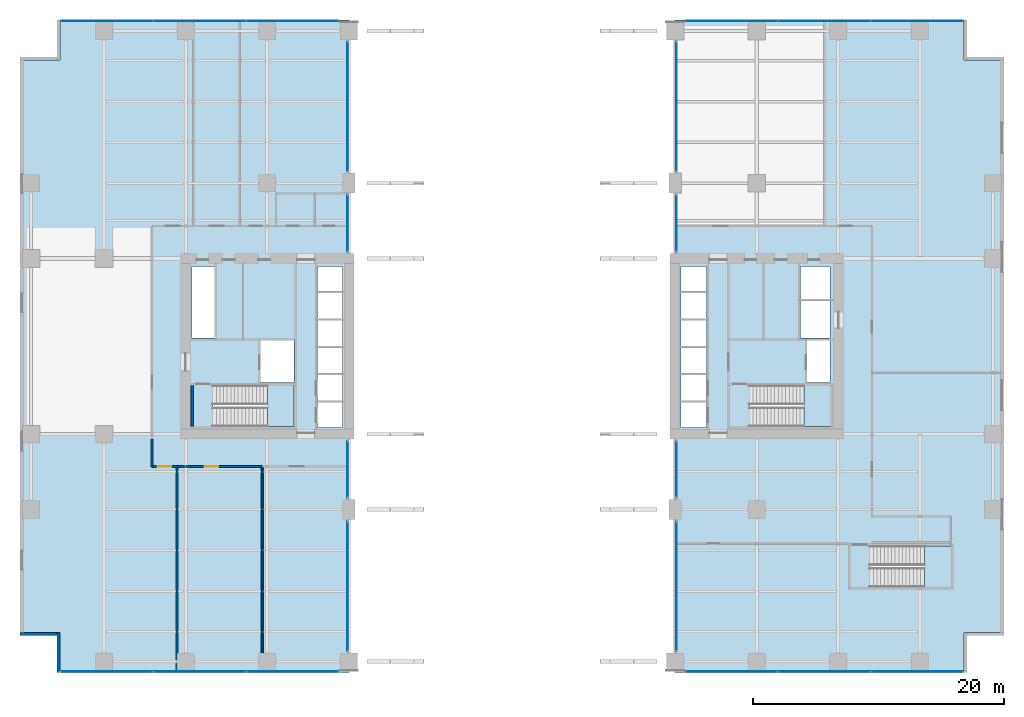
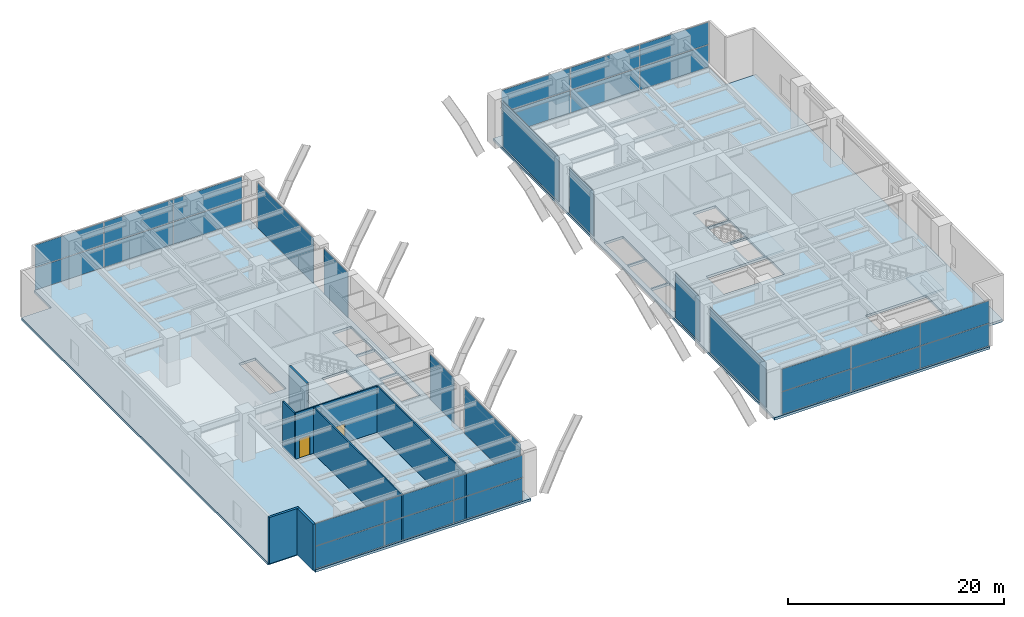
# One storey, part 9 of 17: 32 plates, 8 walls, 5 slabs, 2 doors, 2 openings, 15 elements without a shape of their own.
"""IFC4 building model written with IfcOpenShell, lengths in metres."""

from ifc_helpers import new_model, si_unit, direction, frame, frame_2d, origin, origin_2d, place, context, subcontext, project, spatial, polyline, rectangle, outline, extrude, material, layer, layer_set, type_object, element, fill, aggregate, save


model = new_model("IFC4")

# Units and contexts
model_context = context("Model", 3, precision=1e-05, world=origin(), true_north=direction((0.0, 1.0)))
body_context = subcontext(model_context, "Body", "Model", "MODEL_VIEW")
ifc_project = project(units=[si_unit("LENGTHUNIT", "METRE"), si_unit("AREAUNIT", "SQUARE_METRE"), si_unit("VOLUMEUNIT", "CUBIC_METRE"), si_unit("PLANEANGLEUNIT", "RADIAN"), si_unit("MASSUNIT", "GRAM", prefix="KILO")], contexts=[model_context])

# Site, building, storey
site_placement = place(None, origin())
site = spatial("IfcSite", under=ifc_project, at=site_placement, CompositionType="ELEMENT")
building_placement = place(site_placement, origin())
building = spatial("IfcBuilding", under=site, at=building_placement, Name="Putna Gate Headquarters", CompositionType="ELEMENT")
storey_placement = place(building_placement, frame((0.0, 0.0, 6.0)))
storey = spatial("IfcBuildingStorey", under=building, at=storey_placement, Name="L01", CompositionType="ELEMENT", Elevation=6.0)

# Stair, slab
ifc_material_1 = material(Name="Concrete C40/50", Category="concrete")
stair_type_1 = type_object("IfcStairType", Name="STAIR-ST1", PredefinedType="HALF_TURN_STAIR", material=ifc_material_1)
stair_1_placement = place(storey_placement, origin())
stair_1 = element("IfcStair", 1, at=stair_1_placement, inside=storey, type_object=stair_type_1, Name="L01 West Core Exit Stair ST1", PredefinedType="HALF_TURN_STAIR")
ifc_layer_1 = layer(ifc_material_1, 0.199951171875)
ifc_layer_set_1 = layer_set([ifc_layer_1], Name="Concrete C40/50")
slab_type_1 = type_object("IfcSlabType", Name="LANDING-ST1", PredefinedType="LANDING", material=ifc_layer_set_1)
slab_1_placement = place(storey_placement, frame((0.0, 0.0, 2.550048828125)))
slab_1 = element("IfcSlab", 2, at=slab_1_placement, type_object=slab_type_1, Name="ST1 landing 1", PredefinedType="LANDING", context=body_context, shape_type="SweptSolid", body=[
    extrude(outline(polyline([(19.5, 19.60009765625), (21.64990234375, 19.60009765625), (21.64990234375, 22.89990234375), (19.5, 22.89990234375), (19.5, 19.60009765625)])), origin(), (0.0, 0.0, 1.0), 0.199951171875),
])
aggregate(stair_1, [slab_1])

stair_type_2 = type_object("IfcStairType", Name="STAIR-ST2", PredefinedType="HALF_TURN_STAIR", material=ifc_material_1)
stair_2_placement = place(storey_placement, origin())
stair_2 = element("IfcStair", 3, at=stair_2_placement, inside=storey, type_object=stair_type_2, Name="L01 East Core Exit Stair ST2", PredefinedType="HALF_TURN_STAIR")
ifc_layer_2 = layer(ifc_material_1, 0.199951171875)
ifc_layer_set_2 = layer_set([ifc_layer_2], Name="Concrete C40/50")
slab_type_2 = type_object("IfcSlabType", Name="LANDING-ST2", PredefinedType="LANDING", material=ifc_layer_set_2)
slab_2_placement = place(storey_placement, frame((0.0, 0.0, 2.550048828125)))
slab_2 = element("IfcSlab", 4, at=slab_2_placement, type_object=slab_type_2, Name="ST2 landing 1", PredefinedType="LANDING", context=body_context, shape_type="SweptSolid", body=[
    extrude(outline(polyline([(62.25, 19.60009765625), (64.39990234375, 19.60009765625), (64.39990234375, 22.89990234375), (62.25, 22.89990234375), (62.25, 19.60009765625)])), origin(), (0.0, 0.0, 1.0), 0.199951171875),
])
aggregate(stair_2, [slab_2])

stair_type_3 = type_object("IfcStairType", Name="STAIR-ST3", PredefinedType="HALF_TURN_STAIR", material=ifc_material_1)
stair_3_placement = place(storey_placement, origin())
stair_3 = element("IfcStair", 5, at=stair_3_placement, inside=storey, type_object=stair_type_3, Name="L01 Podium Escape Stair ST3", PredefinedType="HALF_TURN_STAIR")
ifc_layer_3 = layer(ifc_material_1, 0.199951171875)
ifc_layer_set_3 = layer_set([ifc_layer_3], Name="Concrete C40/50")
slab_type_3 = type_object("IfcSlabType", Name="LANDING-ST3", PredefinedType="LANDING", material=ifc_layer_set_3)
slab_3_placement = place(storey_placement, frame((0.0, 0.0, 2.550048828125)))
slab_3 = element("IfcSlab", 6, at=slab_3_placement, type_object=slab_type_3, Name="ST3 landing 1", PredefinedType="LANDING", context=body_context, shape_type="SweptSolid", body=[
    extrude(outline(polyline([(71.85009765625, 6.800048828125), (74.0, 6.800048828125), (74.0, 10.10009765625), (71.85009765625, 10.10009765625), (71.85009765625, 6.800048828125)])), origin(), (0.0, 0.0, 1.0), 0.199951171875),
])
aggregate(stair_3, [slab_3])

# Curtain wall, plate
ifc_material_2 = material(Name="Anodised bronze aluminium curtain wall", Category="aluminium")
ifc_layer_4 = layer(ifc_material_2, 0.179931640625)
ifc_layer_set_4 = layer_set([ifc_layer_4], Name="Anodised bronze aluminium curtain wall")
curtain_wall_type_1 = type_object("IfcCurtainWallType", Name="CW-SYS-ATR", PredefinedType="USERDEFINED", material=ifc_layer_set_4)
curtain_wall_1_placement = place(storey_placement, origin())
curtain_wall_1 = element("IfcCurtainWall", 7, at=curtain_wall_1_placement, inside=storey, type_object=curtain_wall_type_1, Name="L01 Arch Flank Glazing W-S1", ObjectType="ATRIUM GLAZING", PredefinedType="USERDEFINED")
ifc_material_3 = material(Name="Clear low-iron triple glazing", Category="glass")
ifc_layer_5 = layer(ifc_material_3, 0.0400390625)
ifc_layer_set_5 = layer_set([ifc_layer_5], Name="Clear low-iron triple glazing")
plate_type_1 = type_object("IfcPlateType", Name="PAN-CWP-AT", PredefinedType="CURTAIN_PANEL", material=ifc_layer_set_5)
plate_1_placement = place(storey_placement, frame((25.89990234375, 6.885009765625, 0.070068359375), z_axis=(0.0, 0.0, 1.0), x_axis=(0.0, 1.0, 0.0)))
plate_1 = element("IfcPlate", 8, at=plate_1_placement, type_object=plate_type_1, Name="CWS-AT panel 1.1", PredefinedType="CURTAIN_PANEL", context=body_context, shape_type="SweptSolid", body=[
    extrude(rectangle(XDim=10.330078125, YDim=0.0400390625, at=origin_2d()), origin(), (0.0, 0.0, 1.0), 5.080078125),
])
aggregate(curtain_wall_1, [plate_1])

curtain_wall_2_placement = place(storey_placement, origin())
curtain_wall_2 = element("IfcCurtainWall", 9, at=curtain_wall_2_placement, inside=storey, type_object=curtain_wall_type_1, Name="L01 Arch Flank Glazing W-S2", ObjectType="ATRIUM GLAZING", PredefinedType="USERDEFINED")
plate_2_placement = place(storey_placement, frame((25.89990234375, 16.199951171875, 0.070068359375), z_axis=(0.0, 0.0, 1.0), x_axis=(0.0, 1.0, 0.0)))
plate_2 = element("IfcPlate", 10, at=plate_2_placement, type_object=plate_type_1, Name="CWS-AT panel 1.1", PredefinedType="CURTAIN_PANEL", context=body_context, shape_type="SweptSolid", body=[
    extrude(rectangle(XDim=4.5, YDim=0.0400390625, at=origin_2d()), origin(), (0.0, 0.0, 1.0), 5.080078125),
])
aggregate(curtain_wall_2, [plate_2])

curtain_wall_3_placement = place(storey_placement, origin())
curtain_wall_3 = element("IfcCurtainWall", 11, at=curtain_wall_3_placement, inside=storey, type_object=curtain_wall_type_1, Name="L01 Arch Flank Glazing W-N1", ObjectType="ATRIUM GLAZING", PredefinedType="USERDEFINED")
plate_3_placement = place(storey_placement, frame((25.89990234375, 35.800048828125, 0.070068359375), z_axis=(0.0, 0.0, 1.0), x_axis=(0.0, 1.0, 0.0)))
plate_3 = element("IfcPlate", 12, at=plate_3_placement, type_object=plate_type_1, Name="CWS-AT panel 1.1", PredefinedType="CURTAIN_PANEL", context=body_context, shape_type="SweptSolid", body=[
    extrude(rectangle(XDim=4.5, YDim=0.0400390625, at=origin_2d()), origin(), (0.0, 0.0, 1.0), 5.080078125),
])
aggregate(curtain_wall_3, [plate_3])

curtain_wall_4_placement = place(storey_placement, origin())
curtain_wall_4 = element("IfcCurtainWall", 13, at=curtain_wall_4_placement, inside=storey, type_object=curtain_wall_type_1, Name="L01 Arch Flank Glazing W-N2", ObjectType="ATRIUM GLAZING", PredefinedType="USERDEFINED")
plate_4_placement = place(storey_placement, frame((25.89990234375, 45.114990234375, 0.070068359375), z_axis=(0.0, 0.0, 1.0), x_axis=(0.0, 1.0, 0.0)))
plate_4 = element("IfcPlate", 14, at=plate_4_placement, type_object=plate_type_1, Name="CWS-AT panel 1.1", PredefinedType="CURTAIN_PANEL", context=body_context, shape_type="SweptSolid", body=[
    extrude(rectangle(XDim=10.330078125, YDim=0.0400390625, at=origin_2d()), origin(), (0.0, 0.0, 1.0), 5.080078125),
])
aggregate(curtain_wall_4, [plate_4])

curtain_wall_5_placement = place(storey_placement, origin())
curtain_wall_5 = element("IfcCurtainWall", 15, at=curtain_wall_5_placement, inside=storey, type_object=curtain_wall_type_1, Name="L01 Arch Flank Glazing E-S1", ObjectType="ATRIUM GLAZING", PredefinedType="USERDEFINED")
plate_5_placement = place(storey_placement, frame((52.10009765625, 6.885009765625, 0.070068359375), z_axis=(0.0, 0.0, 1.0), x_axis=(0.0, 1.0, 0.0)))
plate_5 = element("IfcPlate", 16, at=plate_5_placement, type_object=plate_type_1, Name="CWS-AT panel 1.1", PredefinedType="CURTAIN_PANEL", context=body_context, shape_type="SweptSolid", body=[
    extrude(rectangle(XDim=10.330078125, YDim=0.0400390625, at=origin_2d()), origin(), (0.0, 0.0, 1.0), 5.080078125),
])
aggregate(curtain_wall_5, [plate_5])

curtain_wall_6_placement = place(storey_placement, origin())
curtain_wall_6 = element("IfcCurtainWall", 17, at=curtain_wall_6_placement, inside=storey, type_object=curtain_wall_type_1, Name="L01 Arch Flank Glazing E-S2", ObjectType="ATRIUM GLAZING", PredefinedType="USERDEFINED")
plate_6_placement = place(storey_placement, frame((52.10009765625, 16.199951171875, 0.070068359375), z_axis=(0.0, 0.0, 1.0), x_axis=(0.0, 1.0, 0.0)))
plate_6 = element("IfcPlate", 18, at=plate_6_placement, type_object=plate_type_1, Name="CWS-AT panel 1.1", PredefinedType="CURTAIN_PANEL", context=body_context, shape_type="SweptSolid", body=[
    extrude(rectangle(XDim=4.5, YDim=0.0400390625, at=origin_2d()), origin(), (0.0, 0.0, 1.0), 5.080078125),
])
aggregate(curtain_wall_6, [plate_6])

curtain_wall_7_placement = place(storey_placement, origin())
curtain_wall_7 = element("IfcCurtainWall", 19, at=curtain_wall_7_placement, inside=storey, type_object=curtain_wall_type_1, Name="L01 Arch Flank Glazing E-N1", ObjectType="ATRIUM GLAZING", PredefinedType="USERDEFINED")
plate_7_placement = place(storey_placement, frame((52.10009765625, 35.800048828125, 0.070068359375), z_axis=(0.0, 0.0, 1.0), x_axis=(0.0, 1.0, 0.0)))
plate_7 = element("IfcPlate", 20, at=plate_7_placement, type_object=plate_type_1, Name="CWS-AT panel 1.1", PredefinedType="CURTAIN_PANEL", context=body_context, shape_type="SweptSolid", body=[
    extrude(rectangle(XDim=4.5, YDim=0.0400390625, at=origin_2d()), origin(), (0.0, 0.0, 1.0), 5.080078125),
])
aggregate(curtain_wall_7, [plate_7])

curtain_wall_8_placement = place(storey_placement, origin())
curtain_wall_8 = element("IfcCurtainWall", 21, at=curtain_wall_8_placement, inside=storey, type_object=curtain_wall_type_1, Name="L01 Arch Flank Glazing E-N2", ObjectType="ATRIUM GLAZING", PredefinedType="USERDEFINED")
plate_8_placement = place(storey_placement, frame((52.10009765625, 45.114990234375, 0.070068359375), z_axis=(0.0, 0.0, 1.0), x_axis=(0.0, 1.0, 0.0)))
plate_8 = element("IfcPlate", 22, at=plate_8_placement, type_object=plate_type_1, Name="CWS-AT panel 1.1", PredefinedType="CURTAIN_PANEL", context=body_context, shape_type="SweptSolid", body=[
    extrude(rectangle(XDim=10.330078125, YDim=0.0400390625, at=origin_2d()), origin(), (0.0, 0.0, 1.0), 5.080078125),
])
aggregate(curtain_wall_8, [plate_8])

# Curtain wall, plates
ifc_layer_6 = layer(ifc_material_2, 0.179931640625)
ifc_layer_set_6 = layer_set([ifc_layer_6], Name="Anodised bronze aluminium curtain wall")
curtain_wall_type_2 = type_object("IfcCurtainWallType", Name="CW-SYS-POD", PredefinedType="USERDEFINED", material=ifc_layer_set_6)
curtain_wall_9_placement = place(storey_placement, origin())
curtain_wall_9 = element("IfcCurtainWall", 23, at=curtain_wall_9_placement, inside=storey, type_object=curtain_wall_type_2, Name="L01 South West Curtain Wall", ObjectType="STICK CURTAIN WALL", PredefinedType="USERDEFINED")
ifc_material_4 = material(Name="Solar-control triple low-E glass", Category="glass")
ifc_layer_7 = layer(ifc_material_4, 0.035888671875)
ifc_layer_set_7 = layer_set([ifc_layer_7], Name="Solar-control triple low-E glass")
plate_type_2 = type_object("IfcPlateType", Name="PAN-CWP-P", PredefinedType="CURTAIN_PANEL", material=ifc_layer_set_7)
plate_9_placement = place(storey_placement, frame((6.720947265625, 0.080078125, 0.070068359375), z_axis=(0.0, 0.0, 1.0), x_axis=(1.0, 0.0, 0.0)))
plate_9 = element("IfcPlate", 24, at=plate_9_placement, type_object=plate_type_2, Name="CWS-P panel 1.1", PredefinedType="CURTAIN_PANEL", context=body_context, shape_type="SweptSolid", body=[
    extrude(rectangle(XDim=7.3017578125, YDim=0.035888671875, at=origin_2d()), origin(), (0.0, 0.0, 1.0), 2.5048828125),
])
plate_10_placement = place(storey_placement, frame((6.720947265625, 0.080078125, 2.64501953125), z_axis=(0.0, 0.0, 1.0), x_axis=(1.0, 0.0, 0.0)))
plate_10 = element("IfcPlate", 25, at=plate_10_placement, type_object=plate_type_2, Name="CWS-P panel 1.2", PredefinedType="CURTAIN_PANEL", context=body_context, shape_type="SweptSolid", body=[
    extrude(rectangle(XDim=7.3017578125, YDim=0.035888671875, at=origin_2d()), origin(), (0.0, 0.0, 1.0), 2.5048828125),
])
plate_11_placement = place(storey_placement, frame((14.110107421875, 0.080078125, 0.070068359375), z_axis=(0.0, 0.0, 1.0), x_axis=(1.0, 0.0, 0.0)))
plate_11 = element("IfcPlate", 26, at=plate_11_placement, type_object=plate_type_2, Name="CWS-P panel 2.1", PredefinedType="CURTAIN_PANEL", context=body_context, shape_type="SweptSolid", body=[
    extrude(rectangle(XDim=7.336669921875, YDim=0.035888671875, at=origin_2d()), origin(), (0.0, 0.0, 1.0), 2.5048828125),
])
plate_12_placement = place(storey_placement, frame((14.110107421875, 0.080078125, 2.64501953125), z_axis=(0.0, 0.0, 1.0), x_axis=(1.0, 0.0, 0.0)))
plate_12 = element("IfcPlate", 27, at=plate_12_placement, type_object=plate_type_2, Name="CWS-P panel 2.2", PredefinedType="CURTAIN_PANEL", context=body_context, shape_type="SweptSolid", body=[
    extrude(rectangle(XDim=7.336669921875, YDim=0.035888671875, at=origin_2d()), origin(), (0.0, 0.0, 1.0), 2.5048828125),
])
plate_13_placement = place(storey_placement, frame((21.499267578125, 0.080078125, 0.070068359375), z_axis=(0.0, 0.0, 1.0), x_axis=(1.0, 0.0, 0.0)))
plate_13 = element("IfcPlate", 28, at=plate_13_placement, type_object=plate_type_2, Name="CWS-P panel 3.1", PredefinedType="CURTAIN_PANEL", context=body_context, shape_type="SweptSolid", body=[
    extrude(rectangle(XDim=7.3017578125, YDim=0.035888671875, at=origin_2d()), origin(), (0.0, 0.0, 1.0), 2.5048828125),
])
plate_14_placement = place(storey_placement, frame((21.499267578125, 0.080078125, 2.64501953125), z_axis=(0.0, 0.0, 1.0), x_axis=(1.0, 0.0, 0.0)))
plate_14 = element("IfcPlate", 29, at=plate_14_placement, type_object=plate_type_2, Name="CWS-P panel 3.2", PredefinedType="CURTAIN_PANEL", context=body_context, shape_type="SweptSolid", body=[
    extrude(rectangle(XDim=7.3017578125, YDim=0.035888671875, at=origin_2d()), origin(), (0.0, 0.0, 1.0), 2.5048828125),
])
aggregate(curtain_wall_9, [plate_9, plate_10, plate_11, plate_12, plate_13, plate_14])

curtain_wall_10_placement = place(storey_placement, origin())
curtain_wall_10 = element("IfcCurtainWall", 30, at=curtain_wall_10_placement, inside=storey, type_object=curtain_wall_type_2, Name="L01 North West Curtain Wall", ObjectType="STICK CURTAIN WALL", PredefinedType="USERDEFINED")
plate_15_placement = place(storey_placement, frame((6.720947265625, 51.919921875, 0.070068359375), z_axis=(0.0, 0.0, 1.0), x_axis=(1.0, 0.0, 0.0)))
plate_15 = element("IfcPlate", 31, at=plate_15_placement, type_object=plate_type_2, Name="CWS-P panel 1.1", PredefinedType="CURTAIN_PANEL", context=body_context, shape_type="SweptSolid", body=[
    extrude(rectangle(XDim=7.3017578125, YDim=0.035888671875, at=origin_2d()), origin(), (0.0, 0.0, 1.0), 2.5048828125),
])
plate_16_placement = place(storey_placement, frame((6.720947265625, 51.919921875, 2.64501953125), z_axis=(0.0, 0.0, 1.0), x_axis=(1.0, 0.0, 0.0)))
plate_16 = element("IfcPlate", 32, at=plate_16_placement, type_object=plate_type_2, Name="CWS-P panel 1.2", PredefinedType="CURTAIN_PANEL", context=body_context, shape_type="SweptSolid", body=[
    extrude(rectangle(XDim=7.3017578125, YDim=0.035888671875, at=origin_2d()), origin(), (0.0, 0.0, 1.0), 2.5048828125),
])
plate_17_placement = place(storey_placement, frame((14.110107421875, 51.919921875, 0.070068359375), z_axis=(0.0, 0.0, 1.0), x_axis=(1.0, 0.0, 0.0)))
plate_17 = element("IfcPlate", 33, at=plate_17_placement, type_object=plate_type_2, Name="CWS-P panel 2.1", PredefinedType="CURTAIN_PANEL", context=body_context, shape_type="SweptSolid", body=[
    extrude(rectangle(XDim=7.336669921875, YDim=0.035888671875, at=origin_2d()), origin(), (0.0, 0.0, 1.0), 2.5048828125),
])
plate_18_placement = place(storey_placement, frame((14.110107421875, 51.919921875, 2.64501953125), z_axis=(0.0, 0.0, 1.0), x_axis=(1.0, 0.0, 0.0)))
plate_18 = element("IfcPlate", 34, at=plate_18_placement, type_object=plate_type_2, Name="CWS-P panel 2.2", PredefinedType="CURTAIN_PANEL", context=body_context, shape_type="SweptSolid", body=[
    extrude(rectangle(XDim=7.336669921875, YDim=0.035888671875, at=origin_2d()), origin(), (0.0, 0.0, 1.0), 2.5048828125),
])
plate_19_placement = place(storey_placement, frame((21.499267578125, 51.919921875, 0.070068359375), z_axis=(0.0, 0.0, 1.0), x_axis=(1.0, 0.0, 0.0)))
plate_19 = element("IfcPlate", 35, at=plate_19_placement, type_object=plate_type_2, Name="CWS-P panel 3.1", PredefinedType="CURTAIN_PANEL", context=body_context, shape_type="SweptSolid", body=[
    extrude(rectangle(XDim=7.3017578125, YDim=0.035888671875, at=origin_2d()), origin(), (0.0, 0.0, 1.0), 2.5048828125),
])
plate_20_placement = place(storey_placement, frame((21.499267578125, 51.919921875, 2.64501953125), z_axis=(0.0, 0.0, 1.0), x_axis=(1.0, 0.0, 0.0)))
plate_20 = element("IfcPlate", 36, at=plate_20_placement, type_object=plate_type_2, Name="CWS-P panel 3.2", PredefinedType="CURTAIN_PANEL", context=body_context, shape_type="SweptSolid", body=[
    extrude(rectangle(XDim=7.3017578125, YDim=0.035888671875, at=origin_2d()), origin(), (0.0, 0.0, 1.0), 2.5048828125),
])
aggregate(curtain_wall_10, [plate_15, plate_16, plate_17, plate_18, plate_19, plate_20])

curtain_wall_11_placement = place(storey_placement, origin())
curtain_wall_11 = element("IfcCurtainWall", 37, at=curtain_wall_11_placement, inside=storey, type_object=curtain_wall_type_2, Name="L01 South East Curtain Wall", ObjectType="STICK CURTAIN WALL", PredefinedType="USERDEFINED")
plate_21_placement = place(storey_placement, frame((56.500732421875, 0.080078125, 0.070068359375), z_axis=(0.0, 0.0, 1.0), x_axis=(1.0, 0.0, 0.0)))
plate_21 = element("IfcPlate", 38, at=plate_21_placement, type_object=plate_type_2, Name="CWS-P panel 1.1", PredefinedType="CURTAIN_PANEL", context=body_context, shape_type="SweptSolid", body=[
    extrude(rectangle(XDim=7.3017578125, YDim=0.035888671875, at=origin_2d()), origin(), (0.0, 0.0, 1.0), 2.5048828125),
])
plate_22_placement = place(storey_placement, frame((56.500732421875, 0.080078125, 2.64501953125), z_axis=(0.0, 0.0, 1.0), x_axis=(1.0, 0.0, 0.0)))
plate_22 = element("IfcPlate", 39, at=plate_22_placement, type_object=plate_type_2, Name="CWS-P panel 1.2", PredefinedType="CURTAIN_PANEL", context=body_context, shape_type="SweptSolid", body=[
    extrude(rectangle(XDim=7.3017578125, YDim=0.035888671875, at=origin_2d()), origin(), (0.0, 0.0, 1.0), 2.5048828125),
])
plate_23_placement = place(storey_placement, frame((63.889892578125, 0.080078125, 0.070068359375), z_axis=(0.0, 0.0, 1.0), x_axis=(1.0, 0.0, 0.0)))
plate_23 = element("IfcPlate", 40, at=plate_23_placement, type_object=plate_type_2, Name="CWS-P panel 2.1", PredefinedType="CURTAIN_PANEL", context=body_context, shape_type="SweptSolid", body=[
    extrude(rectangle(XDim=7.336669921875, YDim=0.035888671875, at=origin_2d()), origin(), (0.0, 0.0, 1.0), 2.5048828125),
])
plate_24_placement = place(storey_placement, frame((63.889892578125, 0.080078125, 2.64501953125), z_axis=(0.0, 0.0, 1.0), x_axis=(1.0, 0.0, 0.0)))
plate_24 = element("IfcPlate", 41, at=plate_24_placement, type_object=plate_type_2, Name="CWS-P panel 2.2", PredefinedType="CURTAIN_PANEL", context=body_context, shape_type="SweptSolid", body=[
    extrude(rectangle(XDim=7.336669921875, YDim=0.035888671875, at=origin_2d()), origin(), (0.0, 0.0, 1.0), 2.5048828125),
])
plate_25_placement = place(storey_placement, frame((71.279052734375, 0.080078125, 0.070068359375), z_axis=(0.0, 0.0, 1.0), x_axis=(1.0, 0.0, 0.0)))
plate_25 = element("IfcPlate", 42, at=plate_25_placement, type_object=plate_type_2, Name="CWS-P panel 3.1", PredefinedType="CURTAIN_PANEL", context=body_context, shape_type="SweptSolid", body=[
    extrude(rectangle(XDim=7.3017578125, YDim=0.035888671875, at=origin_2d()), origin(), (0.0, 0.0, 1.0), 2.5048828125),
])
plate_26_placement = place(storey_placement, frame((71.279052734375, 0.080078125, 2.64501953125), z_axis=(0.0, 0.0, 1.0), x_axis=(1.0, 0.0, 0.0)))
plate_26 = element("IfcPlate", 43, at=plate_26_placement, type_object=plate_type_2, Name="CWS-P panel 3.2", PredefinedType="CURTAIN_PANEL", context=body_context, shape_type="SweptSolid", body=[
    extrude(rectangle(XDim=7.3017578125, YDim=0.035888671875, at=origin_2d()), origin(), (0.0, 0.0, 1.0), 2.5048828125),
])
aggregate(curtain_wall_11, [plate_21, plate_22, plate_23, plate_24, plate_25, plate_26])

curtain_wall_12_placement = place(storey_placement, origin())
curtain_wall_12 = element("IfcCurtainWall", 44, at=curtain_wall_12_placement, inside=storey, type_object=curtain_wall_type_2, Name="L01 North East Curtain Wall", ObjectType="STICK CURTAIN WALL", PredefinedType="USERDEFINED")
plate_27_placement = place(storey_placement, frame((56.500732421875, 51.919921875, 0.070068359375), z_axis=(0.0, 0.0, 1.0), x_axis=(1.0, 0.0, 0.0)))
plate_27 = element("IfcPlate", 45, at=plate_27_placement, type_object=plate_type_2, Name="CWS-P panel 1.1", PredefinedType="CURTAIN_PANEL", context=body_context, shape_type="SweptSolid", body=[
    extrude(rectangle(XDim=7.3017578125, YDim=0.035888671875, at=origin_2d()), origin(), (0.0, 0.0, 1.0), 2.5048828125),
])
plate_28_placement = place(storey_placement, frame((56.500732421875, 51.919921875, 2.64501953125), z_axis=(0.0, 0.0, 1.0), x_axis=(1.0, 0.0, 0.0)))
plate_28 = element("IfcPlate", 46, at=plate_28_placement, type_object=plate_type_2, Name="CWS-P panel 1.2", PredefinedType="CURTAIN_PANEL", context=body_context, shape_type="SweptSolid", body=[
    extrude(rectangle(XDim=7.3017578125, YDim=0.035888671875, at=origin_2d()), origin(), (0.0, 0.0, 1.0), 2.5048828125),
])
plate_29_placement = place(storey_placement, frame((63.889892578125, 51.919921875, 0.070068359375), z_axis=(0.0, 0.0, 1.0), x_axis=(1.0, 0.0, 0.0)))
plate_29 = element("IfcPlate", 47, at=plate_29_placement, type_object=plate_type_2, Name="CWS-P panel 2.1", PredefinedType="CURTAIN_PANEL", context=body_context, shape_type="SweptSolid", body=[
    extrude(rectangle(XDim=7.336669921875, YDim=0.035888671875, at=origin_2d()), origin(), (0.0, 0.0, 1.0), 2.5048828125),
])
plate_30_placement = place(storey_placement, frame((63.889892578125, 51.919921875, 2.64501953125), z_axis=(0.0, 0.0, 1.0), x_axis=(1.0, 0.0, 0.0)))
plate_30 = element("IfcPlate", 48, at=plate_30_placement, type_object=plate_type_2, Name="CWS-P panel 2.2", PredefinedType="CURTAIN_PANEL", context=body_context, shape_type="SweptSolid", body=[
    extrude(rectangle(XDim=7.336669921875, YDim=0.035888671875, at=origin_2d()), origin(), (0.0, 0.0, 1.0), 2.5048828125),
])
plate_31_placement = place(storey_placement, frame((71.279052734375, 51.919921875, 0.070068359375), z_axis=(0.0, 0.0, 1.0), x_axis=(1.0, 0.0, 0.0)))
plate_31 = element("IfcPlate", 49, at=plate_31_placement, type_object=plate_type_2, Name="CWS-P panel 3.1", PredefinedType="CURTAIN_PANEL", context=body_context, shape_type="SweptSolid", body=[
    extrude(rectangle(XDim=7.3017578125, YDim=0.035888671875, at=origin_2d()), origin(), (0.0, 0.0, 1.0), 2.5048828125),
])
plate_32_placement = place(storey_placement, frame((71.279052734375, 51.919921875, 2.64501953125), z_axis=(0.0, 0.0, 1.0), x_axis=(1.0, 0.0, 0.0)))
plate_32 = element("IfcPlate", 50, at=plate_32_placement, type_object=plate_type_2, Name="CWS-P panel 3.2", PredefinedType="CURTAIN_PANEL", context=body_context, shape_type="SweptSolid", body=[
    extrude(rectangle(XDim=7.3017578125, YDim=0.035888671875, at=origin_2d()), origin(), (0.0, 0.0, 1.0), 2.5048828125),
])
aggregate(curtain_wall_12, [plate_27, plate_28, plate_29, plate_30, plate_31, plate_32])

# Slabs
ifc_layer_8 = layer(ifc_material_1, 0.280029296875)
ifc_layer_set_8 = layer_set([ifc_layer_8], Name="Concrete C40/50")
slab_type_4 = type_object("IfcSlabType", Name="SLAB-POD-280", PredefinedType="FLOOR", material=ifc_layer_set_8)
slab_4_placement = place(storey_placement, frame((0.0, 0.0, -0.280029296875)))
element("IfcSlab", 51, at=slab_4_placement, inside=storey, type_object=slab_type_4, Name="L01 West Podium Wing Floor Slab", PredefinedType="FLOOR", context=body_context, shape_type="SweptSolid", body=[
    extrude(outline(polyline([(3.0, 0.0), (26.0, 0.0), (26.0, 52.0), (3.0, 52.0), (3.0, 48.800048828125), (-0.199951171875, 48.800048828125), (-0.199951171875, 3.199951171875), (3.0, 3.199951171875), (3.0, 0.0)]), holes=[polyline([(15.1650390625, 19.60009765625), (21.64990234375, 19.60009765625), (21.64990234375, 22.89990234375), (15.1650390625, 22.89990234375), (15.1650390625, 19.60009765625)]), polyline([(13.52001953125, 26.659912109375), (15.280029296875, 26.659912109375), (15.280029296875, 32.35009765625), (13.52001953125, 32.35009765625), (13.52001953125, 26.659912109375)]), polyline([(18.97998046875, 23.1201171875), (21.6201171875, 23.1201171875), (21.6201171875, 26.4599609375), (18.97998046875, 26.4599609375), (18.97998046875, 23.1201171875)]), polyline([(23.5, 19.52001953125), (25.5, 19.52001953125), (25.5, 23.699951171875), (23.5, 23.699951171875), (23.5, 19.52001953125)]), polyline([(23.5, 23.860107421875), (25.5, 23.860107421875), (25.5, 28.0400390625), (23.5, 28.0400390625), (23.5, 23.860107421875)]), polyline([(23.5, 28.199951171875), (25.5, 28.199951171875), (25.5, 32.35009765625), (23.5, 32.35009765625), (23.5, 28.199951171875)])]), origin(), (0.0, 0.0, 1.0), 0.280029296875),
])
slab_5_placement = place(storey_placement, frame((0.0, 0.0, -0.280029296875)))
element("IfcSlab", 52, at=slab_5_placement, inside=storey, type_object=slab_type_4, Name="L01 East Podium Wing Floor Slab", PredefinedType="FLOOR", context=body_context, shape_type="SweptSolid", body=[
    extrude(outline(polyline([(52.0, 0.0), (75.0, 0.0), (75.0, 3.199951171875), (78.199951171875, 3.199951171875), (78.199951171875, 48.800048828125), (75.0, 48.800048828125), (75.0, 52.0), (52.0, 52.0), (52.0, 0.0)]), holes=[polyline([(57.9150390625, 19.60009765625), (64.39990234375, 19.60009765625), (64.39990234375, 22.89990234375), (57.9150390625, 22.89990234375), (57.9150390625, 19.60009765625)]), polyline([(67.514892578125, 6.800048828125), (74.0, 6.800048828125), (74.0, 10.10009765625), (67.514892578125, 10.10009765625), (67.514892578125, 6.800048828125)]), polyline([(61.969970703125, 29.780029296875), (64.35009765625, 29.780029296875), (64.35009765625, 32.35009765625), (61.969970703125, 32.35009765625), (61.969970703125, 29.780029296875)]), polyline([(62.52001953125, 23.1201171875), (64.35009765625, 23.1201171875), (64.35009765625, 26.4599609375), (62.52001953125, 26.4599609375), (62.52001953125, 23.1201171875)]), polyline([(61.969970703125, 26.659912109375), (64.35009765625, 26.659912109375), (64.35009765625, 29.6201171875), (61.969970703125, 29.6201171875), (61.969970703125, 26.659912109375)]), polyline([(52.47998046875, 19.52001953125), (54.5, 19.52001953125), (54.5, 23.699951171875), (52.47998046875, 23.699951171875), (52.47998046875, 19.52001953125)]), polyline([(52.47998046875, 23.860107421875), (54.5, 23.860107421875), (54.5, 28.0400390625), (52.47998046875, 28.0400390625), (52.47998046875, 23.860107421875)]), polyline([(52.47998046875, 28.199951171875), (54.5, 28.199951171875), (54.5, 32.35009765625), (52.47998046875, 32.35009765625), (52.47998046875, 28.199951171875)])]), origin(), (0.0, 0.0, 1.0), 0.280029296875),
])

# Walls
ifc_material_5 = material(Name="Precast concrete C40/50", Category="concrete")
ifc_layer_9 = layer(ifc_material_5, 0.239990234375)
ifc_layer_set_9 = layer_set([ifc_layer_9], Name="Precast concrete C40/50")
wall_type_1 = type_object("IfcWallType", Name="WALL-EXT-TERR-240", PredefinedType="STANDARD", material=ifc_layer_set_9)
for number, where, z_axis, x_axis, name in (
    (53, (2.8798828125, 0.0, 0.0), (0.0, 0.0, 1.0), (0.0, 1.0, 0.0), "L01 Corner Notch Return Wall SW-V"),
    (54, (3.0, 3.080078125, 0.0), (0.0, 0.0, 1.0), (-1.0, 0.0, 0.0), "L01 Corner Notch Return Wall SW-H"),
):
    element("IfcWall", number, at=place(storey_placement, frame(where, z_axis=z_axis, x_axis=x_axis)), inside=storey, type_object=wall_type_1, Name=name, PredefinedType="STANDARD", context=body_context, shape_type="SweptSolid", body=[
        extrude(rectangle(XDim=3.199951171875, YDim=0.239990234375, at=frame_2d((1.60009765625, 0.0))), origin(), (0.0, 0.0, 1.0), 5.219970703125),
    ])
ifc_material_6 = material(Name="Fire-rated gypsum board on metal stud")
ifc_layer_10 = layer(ifc_material_6, 0.139892578125)
ifc_layer_set_10 = layer_set([ifc_layer_10], Name="Fire-rated gypsum board on metal stud")
wall_type_2 = type_object("IfcWallType", Name="WALL-PART-140", PredefinedType="PARTITIONING", material=ifc_layer_set_10)
wall_1_placement = place(storey_placement, frame((10.320068359375, 16.419921875, 0.0), z_axis=(0.0, 0.0, 1.0), x_axis=(0.0, 1.0, 0.0)))
element("IfcWall", 55, at=wall_1_placement, inside=storey, type_object=wall_type_2, Name="L01 Interior Wall PART-L01-WS-CAP", PredefinedType="PARTITIONING", context=body_context, shape_type="SweptSolid", body=[
    extrude(rectangle(XDim=2.18017578125, YDim=0.139892578125, at=frame_2d((1.090087890625, 0.0))), origin(), (0.0, 0.0, 1.0), 5.219970703125),
])
for number, where, z_axis, x_axis, name in (
    (56, (12.300048828125, 0.06005859375, 0.0), (0.0, 0.0, 1.0), (0.0, 1.0, 0.0), "L01 Interior Wall PART-L01-SW1"),
    (57, (19.10009765625, 0.06005859375, 0.0), (0.0, 0.0, 1.0), (0.0, 1.0, 0.0), "L01 Interior Wall PART-L01-SW2"),
):
    element("IfcWall", number, at=place(storey_placement, frame(where, z_axis=z_axis, x_axis=x_axis)), inside=storey, type_object=wall_type_2, Name=name, PredefinedType="PARTITIONING", context=body_context, shape_type="SweptSolid", body=[
        extrude(rectangle(XDim=16.35986328125, YDim=0.139892578125, at=frame_2d((8.179931640625, 0.0))), origin(), (0.0, 0.0, 1.0), 5.219970703125),
    ])

# Wall, opening, door
wall_2_placement = place(storey_placement, frame((10.320068359375, 16.419921875, 0.0), z_axis=(0.0, 0.0, 1.0), x_axis=(1.0, 0.0, 0.0)))
wall_2 = element("IfcWall", 58, at=wall_2_placement, inside=storey, type_object=wall_type_2, Name="L01 Interior Wall PART-L01-C1", PredefinedType="PARTITIONING", context=body_context, shape_type="SweptSolid", body=[
    extrude(rectangle(XDim=1.97998046875, YDim=0.139892578125, at=frame_2d((0.989990234375, 0.0))), origin(), (0.0, 0.0, 1.0), 5.219970703125),
])
opening_1_placement = place(wall_2_placement, frame((0.43994140625, 0.0, 0.0)))
opening_1 = element("IfcOpeningElement", 59, at=opening_1_placement, cuts=wall_2, Name="Opening IDS-110", PredefinedType="OPENING", context=body_context, shape_type="SweptSolid", body=[
    extrude(rectangle(XDim=1.10009765625, YDim=2.14990234375, at=frame_2d((0.550048828125, 1.074951171875))), frame((0.0, 0.079833984375, 0.0), z_axis=(0.0, -1.0, 0.0), x_axis=(1.0, 0.0, 0.0)), (0.0, 0.0, 1.0), 0.159912109375),
])
ifc_material_7 = material(Name="Fire-rated meeting room door")
door_type = type_object("IfcDoorType", Name="DOOR-INT-1100", OperationType="NOTDEFINED", PredefinedType="DOOR", material=ifc_material_7)
door_1_placement = place(opening_1_placement, origin())
door_1 = element("IfcDoor", 60, at=door_1_placement, inside=storey, type_object=door_type, Name="L01 Conference Hall A Door", OperationType="SINGLE_SWING_LEFT", OverallHeight=2.14990234375, OverallWidth=1.10009765625, PredefinedType="DOOR", context=body_context, shape_type="SweptSolid", body=[
    extrude(rectangle(XDim=1.10009765625, YDim=2.14990234375, at=frame_2d((0.550048828125, 1.074951171875))), frame((0.0, 0.02490234375, 0.0), z_axis=(0.0, -1.0, 0.0), x_axis=(1.0, 0.0, 0.0)), (0.0, 0.0, 1.0), 0.050048828125),
])
fill(opening_1, door_1)

wall_3_placement = place(storey_placement, frame((12.300048828125, 16.419921875, 0.0), z_axis=(0.0, 0.0, 1.0), x_axis=(1.0, 0.0, 0.0)))
wall_3 = element("IfcWall", 61, at=wall_3_placement, inside=storey, type_object=wall_type_2, Name="L01 Interior Wall PART-L01-C2", PredefinedType="PARTITIONING", context=body_context, shape_type="SweptSolid", body=[
    extrude(rectangle(XDim=6.800048828125, YDim=0.139892578125, at=frame_2d((3.39990234375, 0.0))), origin(), (0.0, 0.0, 1.0), 5.219970703125),
])
opening_2_placement = place(wall_3_placement, frame((2.199951171875, 0.0, 0.0)))
opening_2 = element("IfcOpeningElement", 62, at=opening_2_placement, cuts=wall_3, Name="Opening IDS-110", PredefinedType="OPENING", context=body_context, shape_type="SweptSolid", body=[
    extrude(rectangle(XDim=1.10009765625, YDim=2.14990234375, at=frame_2d((0.550048828125, 1.074951171875))), frame((0.0, 0.079833984375, 0.0), z_axis=(0.0, -1.0, 0.0), x_axis=(1.0, 0.0, 0.0)), (0.0, 0.0, 1.0), 0.159912109375),
])
door_2_placement = place(opening_2_placement, origin())
door_2 = element("IfcDoor", 63, at=door_2_placement, inside=storey, type_object=door_type, Name="L01 Conference Hall B Door", OperationType="SINGLE_SWING_LEFT", OverallHeight=2.14990234375, OverallWidth=1.10009765625, PredefinedType="DOOR", context=body_context, shape_type="SweptSolid", body=[
    extrude(rectangle(XDim=1.10009765625, YDim=2.14990234375, at=frame_2d((0.550048828125, 1.074951171875))), frame((0.0, 0.02490234375, 0.0), z_axis=(0.0, -1.0, 0.0), x_axis=(1.0, 0.0, 0.0)), (0.0, 0.0, 1.0), 0.050048828125),
])
fill(opening_2, door_2)

# Wall
ifc_layer_11 = layer(ifc_material_1, 0.199951171875)
ifc_layer_set_11 = layer_set([ifc_layer_11], Name="Concrete C40/50")
wall_type_3 = type_object("IfcWallType", Name="WALL-SHAFT-RC200", PredefinedType="SHEAR", material=ifc_layer_set_11)
wall_4_placement = place(storey_placement, frame((13.510009765625, 19.610107421875, 0.0), z_axis=(0.0, 0.0, 1.0), x_axis=(0.0, 1.0, 0.0)))
element("IfcWall", 64, at=wall_4_placement, inside=storey, type_object=wall_type_3, Name="L01 Stair ST1 Structural Shaft Wall W", PredefinedType="SHEAR", context=body_context, shape_type="SweptSolid", body=[
    extrude(rectangle(XDim=3.27978515625, YDim=0.199951171875, at=frame_2d((1.639892578125, 0.0))), origin(), (0.0, 0.0, 1.0), 5.5),
])

save(model, "model.ifc")
